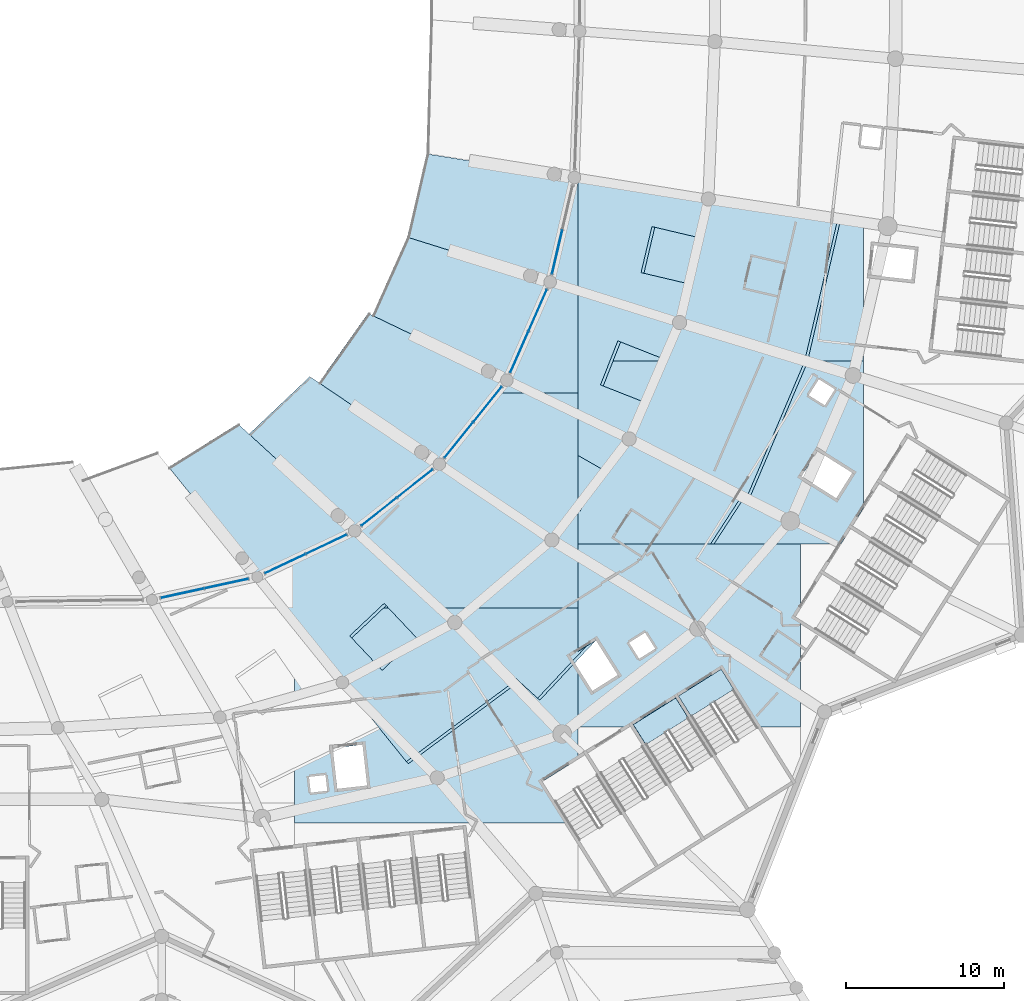
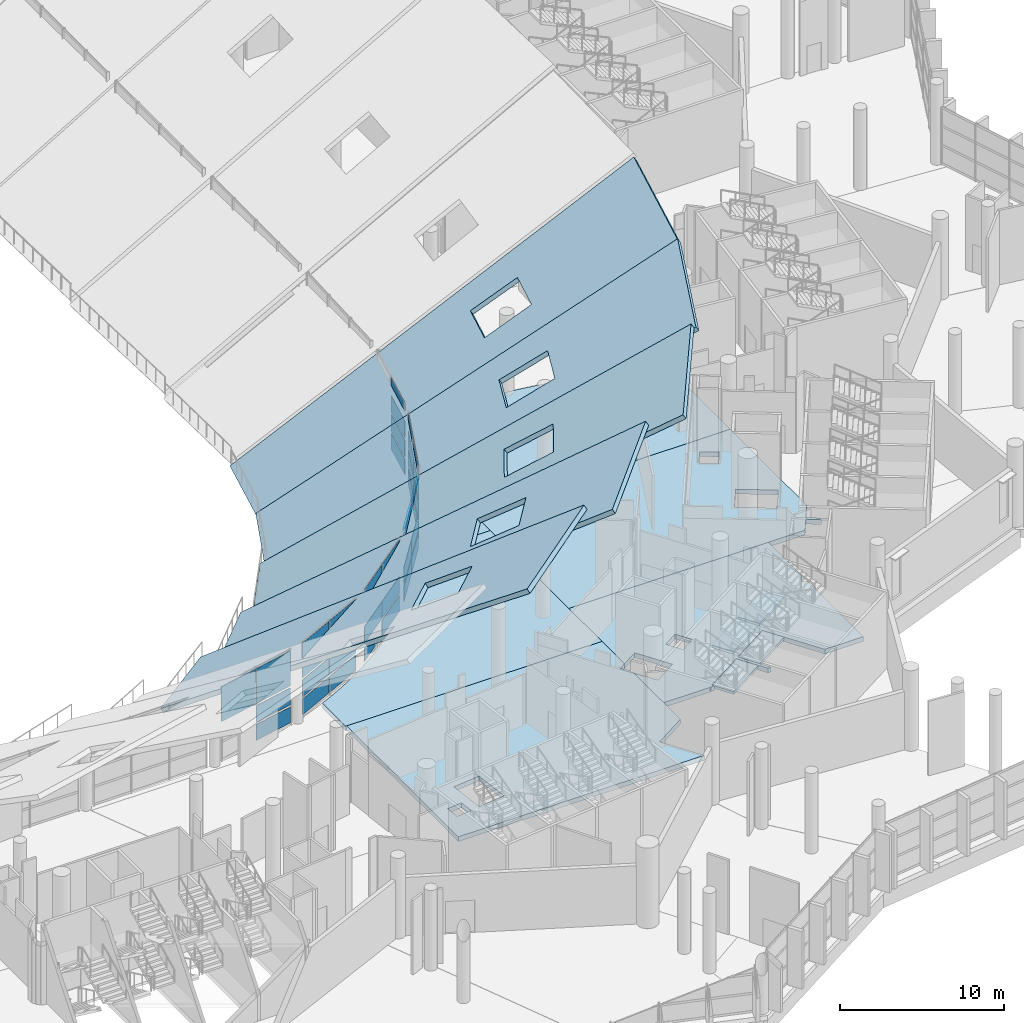
# One storey, part 110 of 249: 36 plates, 15 slabs, 8 elements without a shape of their own.
"""IFC4 building model written with IfcOpenShell, lengths in metres."""

from ifc_helpers import new_model, si_unit, direction, frame, origin, origin_2d, place, context, subcontext, project, spatial, polyline, rectangle, outline, extrude, material, layer, layer_set, type_object, element, aggregate, save


model = new_model("IFC4")

# Units and contexts
model_context = context("Model", 3, precision=1e-05, world=origin(), true_north=direction((0.0, 1.0)))
body_context = subcontext(model_context, "Body", "Model", "MODEL_VIEW")
ifc_project = project(units=[si_unit("LENGTHUNIT", "METRE"), si_unit("AREAUNIT", "SQUARE_METRE"), si_unit("VOLUMEUNIT", "CUBIC_METRE"), si_unit("PLANEANGLEUNIT", "RADIAN"), si_unit("MASSUNIT", "GRAM", prefix="KILO")], contexts=[model_context])

# Site, building, storey
site_placement = place(None, origin())
site = spatial("IfcSite", under=ifc_project, at=site_placement, CompositionType="ELEMENT")
building_placement = place(site_placement, origin())
building = spatial("IfcBuilding", under=site, at=building_placement, Name="Meseta Stadium", CompositionType="ELEMENT")
storey_placement = place(building_placement, frame((0.0, 0.0, 12.0)))
storey = spatial("IfcBuildingStorey", under=building, at=storey_placement, Name="L02", CompositionType="ELEMENT", Elevation=12.0)

# Curtain wall, plates
ifc_material_1 = material(Name="Aluminium", Category="aluminium")
ifc_layer_1 = layer(ifc_material_1, 0.199951171875)
ifc_layer_set_1 = layer_set([ifc_layer_1], Name="Suite glazing curtain wall")
curtain_wall_type = type_object("IfcCurtainWallType", Name="Suite glazing curtain wall", PredefinedType="NOTDEFINED", material=ifc_layer_set_1)
curtain_wall_1_placement = place(storey_placement, origin())
curtain_wall_1 = element("IfcCurtainWall", 1, at=curtain_wall_1_placement, inside=storey, type_object=curtain_wall_type, Name="Suite glazing bay 50", PredefinedType="NOTDEFINED")
ifc_material_2 = material(Name="Glass", Category="glass")
ifc_layer_2 = layer(ifc_material_2, 0.035888671875)
ifc_layer_set_2 = layer_set([ifc_layer_2], Name="CW glass panel 36")
plate_type = type_object("IfcPlateType", Name="CW glass panel 36", PredefinedType="CURTAIN_PANEL", material=ifc_layer_set_2)
plate_1_placement = place(storey_placement, frame((39.633544921875, -76.843017578125, 2.89990234375), z_axis=(0.0, 0.0, 1.0), x_axis=(0.977070301273, 0.21291694712, 0.0)))
plate_1 = element("IfcPlate", 2, at=plate_1_placement, type_object=plate_type, Name="CWS panel 1.3", PredefinedType="CURTAIN_PANEL", context=body_context, shape_type="SweptSolid", body=[
    extrude(rectangle(XDim=2.80810546875, YDim=0.035888671875, at=origin_2d()), origin(), (0.0, 0.0, 1.0), 2.60009765625),
])
plate_2_placement = place(storey_placement, frame((42.43603515625, -76.232177734375, 0.14990234375), z_axis=(0.0, 0.0, 1.0), x_axis=(0.977070301273, 0.21291694712, 0.0)))
plate_2 = element("IfcPlate", 3, at=plate_2_placement, type_object=plate_type, Name="CWS panel 2.1", PredefinedType="CURTAIN_PANEL", context=body_context, shape_type="SweptSolid", body=[
    extrude(rectangle(XDim=2.80810546875, YDim=0.035888671875, at=origin_2d()), origin(), (0.0, 0.0, 1.0), 1.1875),
])
plate_3_placement = place(storey_placement, frame((42.43603515625, -76.232177734375, 1.4873046875), z_axis=(0.0, 0.0, 1.0), x_axis=(0.977070301273, 0.21291694712, 0.0)))
plate_3 = element("IfcPlate", 4, at=plate_3_placement, type_object=plate_type, Name="CWS panel 2.2", PredefinedType="CURTAIN_PANEL", context=body_context, shape_type="SweptSolid", body=[
    extrude(rectangle(XDim=2.80810546875, YDim=0.035888671875, at=origin_2d()), origin(), (0.0, 0.0, 1.0), 1.262451171875),
])
plate_4_placement = place(storey_placement, frame((42.43603515625, -76.232177734375, 2.89990234375), z_axis=(0.0, 0.0, 1.0), x_axis=(0.977070301273, 0.21291694712, 0.0)))
plate_4 = element("IfcPlate", 5, at=plate_4_placement, type_object=plate_type, Name="CWS panel 2.3", PredefinedType="CURTAIN_PANEL", context=body_context, shape_type="SweptSolid", body=[
    extrude(rectangle(XDim=2.80810546875, YDim=0.035888671875, at=origin_2d()), origin(), (0.0, 0.0, 1.0), 2.60009765625),
])
aggregate(curtain_wall_1, [plate_1, plate_2, plate_3, plate_4])

curtain_wall_2_placement = place(storey_placement, origin())
curtain_wall_2 = element("IfcCurtainWall", 6, at=curtain_wall_2_placement, inside=storey, type_object=curtain_wall_type, Name="Suite glazing bay 51", PredefinedType="NOTDEFINED")
plate_5_placement = place(storey_placement, frame((46.166259765625, -74.968017578125, 0.14990234375), z_axis=(0.0, 0.0, 1.0), x_axis=(0.904328409074, 0.426837356076, 0.0)))
plate_5 = element("IfcPlate", 7, at=plate_5_placement, type_object=plate_type, Name="CWS panel 1.1", PredefinedType="CURTAIN_PANEL", context=body_context, shape_type="SweptSolid", body=[
    extrude(rectangle(XDim=2.822509765625, YDim=0.035888671875, at=origin_2d()), origin(), (0.0, 0.0, 1.0), 1.1875),
])
plate_6_placement = place(storey_placement, frame((46.166259765625, -74.968017578125, 1.4873046875), z_axis=(0.0, 0.0, 1.0), x_axis=(0.904328409074, 0.426837356076, 0.0)))
plate_6 = element("IfcPlate", 8, at=plate_6_placement, type_object=plate_type, Name="CWS panel 1.2", PredefinedType="CURTAIN_PANEL", context=body_context, shape_type="SweptSolid", body=[
    extrude(rectangle(XDim=2.822509765625, YDim=0.035888671875, at=origin_2d()), origin(), (0.0, 0.0, 1.0), 1.262451171875),
])
plate_7_placement = place(storey_placement, frame((46.166259765625, -74.968017578125, 2.89990234375), z_axis=(0.0, 0.0, 1.0), x_axis=(0.904328409074, 0.426837356076, 0.0)))
plate_7 = element("IfcPlate", 9, at=plate_7_placement, type_object=plate_type, Name="CWS panel 1.3", PredefinedType="CURTAIN_PANEL", context=body_context, shape_type="SweptSolid", body=[
    extrude(rectangle(XDim=2.822509765625, YDim=0.035888671875, at=origin_2d()), origin(), (0.0, 0.0, 1.0), 2.60009765625),
])
plate_8_placement = place(storey_placement, frame((48.77294921875, -73.737548828125, 0.14990234375), z_axis=(0.0, 0.0, 1.0), x_axis=(0.904328409074, 0.426837356076, 0.0)))
plate_8 = element("IfcPlate", 10, at=plate_8_placement, type_object=plate_type, Name="CWS panel 2.1", PredefinedType="CURTAIN_PANEL", context=body_context, shape_type="SweptSolid", body=[
    extrude(rectangle(XDim=2.822509765625, YDim=0.035888671875, at=origin_2d()), origin(), (0.0, 0.0, 1.0), 1.1875),
])
plate_9_placement = place(storey_placement, frame((48.77294921875, -73.737548828125, 1.4873046875), z_axis=(0.0, 0.0, 1.0), x_axis=(0.904328409074, 0.426837356076, 0.0)))
plate_9 = element("IfcPlate", 11, at=plate_9_placement, type_object=plate_type, Name="CWS panel 2.2", PredefinedType="CURTAIN_PANEL", context=body_context, shape_type="SweptSolid", body=[
    extrude(rectangle(XDim=2.822509765625, YDim=0.035888671875, at=origin_2d()), origin(), (0.0, 0.0, 1.0), 1.262451171875),
])
plate_10_placement = place(storey_placement, frame((48.77294921875, -73.737548828125, 2.89990234375), z_axis=(0.0, 0.0, 1.0), x_axis=(0.904328409074, 0.426837356076, 0.0)))
plate_10 = element("IfcPlate", 12, at=plate_10_placement, type_object=plate_type, Name="CWS panel 2.3", PredefinedType="CURTAIN_PANEL", context=body_context, shape_type="SweptSolid", body=[
    extrude(rectangle(XDim=2.822509765625, YDim=0.035888671875, at=origin_2d()), origin(), (0.0, 0.0, 1.0), 2.60009765625),
])
aggregate(curtain_wall_2, [plate_5, plate_6, plate_7, plate_8, plate_9, plate_10])

curtain_wall_3_placement = place(storey_placement, origin())
curtain_wall_3 = element("IfcCurtainWall", 13, at=curtain_wall_3_placement, inside=storey, type_object=curtain_wall_type, Name="Suite glazing bay 52", PredefinedType="NOTDEFINED")
plate_11_placement = place(storey_placement, frame((52.11279296875, -71.67431640625, 0.14990234375), z_axis=(0.0, 0.0, 1.0), x_axis=(0.785434917158, 0.61894425509, 0.0)))
plate_11 = element("IfcPlate", 14, at=plate_11_placement, type_object=plate_type, Name="CWS panel 1.1", PredefinedType="CURTAIN_PANEL", context=body_context, shape_type="SweptSolid", body=[
    extrude(rectangle(XDim=2.83349609375, YDim=0.035888671875, at=origin_2d()), origin(), (0.0, 0.0, 1.0), 1.1875),
])
plate_12_placement = place(storey_placement, frame((52.11279296875, -71.67431640625, 1.4873046875), z_axis=(0.0, 0.0, 1.0), x_axis=(0.785434917158, 0.61894425509, 0.0)))
plate_12 = element("IfcPlate", 15, at=plate_12_placement, type_object=plate_type, Name="CWS panel 1.2", PredefinedType="CURTAIN_PANEL", context=body_context, shape_type="SweptSolid", body=[
    extrude(rectangle(XDim=2.83349609375, YDim=0.035888671875, at=origin_2d()), origin(), (0.0, 0.0, 1.0), 1.262451171875),
])
plate_13_placement = place(storey_placement, frame((52.11279296875, -71.67431640625, 2.89990234375), z_axis=(0.0, 0.0, 1.0), x_axis=(0.785434917158, 0.61894425509, 0.0)))
plate_13 = element("IfcPlate", 16, at=plate_13_placement, type_object=plate_type, Name="CWS panel 1.3", PredefinedType="CURTAIN_PANEL", context=body_context, shape_type="SweptSolid", body=[
    extrude(rectangle(XDim=2.83349609375, YDim=0.035888671875, at=origin_2d()), origin(), (0.0, 0.0, 1.0), 2.60009765625),
])
plate_14_placement = place(storey_placement, frame((54.385498046875, -69.88330078125, 0.14990234375), z_axis=(0.0, 0.0, 1.0), x_axis=(0.785434917158, 0.61894425509, 0.0)))
plate_14 = element("IfcPlate", 17, at=plate_14_placement, type_object=plate_type, Name="CWS panel 2.1", PredefinedType="CURTAIN_PANEL", context=body_context, shape_type="SweptSolid", body=[
    extrude(rectangle(XDim=2.83349609375, YDim=0.035888671875, at=origin_2d()), origin(), (0.0, 0.0, 1.0), 1.1875),
])
plate_15_placement = place(storey_placement, frame((54.385498046875, -69.88330078125, 1.4873046875), z_axis=(0.0, 0.0, 1.0), x_axis=(0.785434917158, 0.61894425509, 0.0)))
plate_15 = element("IfcPlate", 18, at=plate_15_placement, type_object=plate_type, Name="CWS panel 2.2", PredefinedType="CURTAIN_PANEL", context=body_context, shape_type="SweptSolid", body=[
    extrude(rectangle(XDim=2.83349609375, YDim=0.035888671875, at=origin_2d()), origin(), (0.0, 0.0, 1.0), 1.262451171875),
])
plate_16_placement = place(storey_placement, frame((54.385498046875, -69.88330078125, 2.89990234375), z_axis=(0.0, 0.0, 1.0), x_axis=(0.785434917158, 0.61894425509, 0.0)))
plate_16 = element("IfcPlate", 19, at=plate_16_placement, type_object=plate_type, Name="CWS panel 2.3", PredefinedType="CURTAIN_PANEL", context=body_context, shape_type="SweptSolid", body=[
    extrude(rectangle(XDim=2.83349609375, YDim=0.035888671875, at=origin_2d()), origin(), (0.0, 0.0, 1.0), 2.60009765625),
])
aggregate(curtain_wall_3, [plate_11, plate_12, plate_13, plate_14, plate_15, plate_16])

curtain_wall_4_placement = place(storey_placement, origin())
curtain_wall_4 = element("IfcCurtainWall", 20, at=curtain_wall_4_placement, inside=storey, type_object=curtain_wall_type, Name="Suite glazing bay 53", PredefinedType="NOTDEFINED")
plate_17_placement = place(storey_placement, frame((57.1689453125, -67.12939453125, 0.14990234375), z_axis=(0.0, 0.0, 1.0), x_axis=(0.626460054791, 0.779453526357, 0.0)))
plate_17 = element("IfcPlate", 21, at=plate_17_placement, type_object=plate_type, Name="CWS panel 1.1", PredefinedType="CURTAIN_PANEL", context=body_context, shape_type="SweptSolid", body=[
    extrude(rectangle(XDim=2.84130859375, YDim=0.035888671875, at=origin_2d()), origin(), (0.0, 0.0, 1.0), 1.1875),
])
plate_18_placement = place(storey_placement, frame((57.1689453125, -67.12939453125, 1.4873046875), z_axis=(0.0, 0.0, 1.0), x_axis=(0.626460054791, 0.779453526357, 0.0)))
plate_18 = element("IfcPlate", 22, at=plate_18_placement, type_object=plate_type, Name="CWS panel 1.2", PredefinedType="CURTAIN_PANEL", context=body_context, shape_type="SweptSolid", body=[
    extrude(rectangle(XDim=2.84130859375, YDim=0.035888671875, at=origin_2d()), origin(), (0.0, 0.0, 1.0), 1.262451171875),
])
plate_19_placement = place(storey_placement, frame((57.1689453125, -67.12939453125, 2.89990234375), z_axis=(0.0, 0.0, 1.0), x_axis=(0.626460054791, 0.779453526357, 0.0)))
plate_19 = element("IfcPlate", 23, at=plate_19_placement, type_object=plate_type, Name="CWS panel 1.3", PredefinedType="CURTAIN_PANEL", context=body_context, shape_type="SweptSolid", body=[
    extrude(rectangle(XDim=2.84130859375, YDim=0.035888671875, at=origin_2d()), origin(), (0.0, 0.0, 1.0), 2.332275390625),
])
plate_20_placement = place(storey_placement, frame((57.1689453125, -67.12939453125, 5.38232421875), z_axis=(0.0, 0.0, 1.0), x_axis=(0.626460054791, 0.779453526357, 0.0)))
plate_20 = element("IfcPlate", 24, at=plate_20_placement, type_object=plate_type, Name="CWS panel 1.4", PredefinedType="CURTAIN_PANEL", context=body_context, shape_type="SweptSolid", body=[
    extrude(rectangle(XDim=2.84130859375, YDim=0.035888671875, at=origin_2d()), origin(), (0.0, 0.0, 1.0), 0.11767578125),
])
plate_21_placement = place(storey_placement, frame((58.986572265625, -64.867919921875, 0.14990234375), z_axis=(0.0, 0.0, 1.0), x_axis=(0.626460054791, 0.779453526357, 0.0)))
plate_21 = element("IfcPlate", 25, at=plate_21_placement, type_object=plate_type, Name="CWS panel 2.1", PredefinedType="CURTAIN_PANEL", context=body_context, shape_type="SweptSolid", body=[
    extrude(rectangle(XDim=2.84130859375, YDim=0.035888671875, at=origin_2d()), origin(), (0.0, 0.0, 1.0), 1.1875),
])
plate_22_placement = place(storey_placement, frame((58.986572265625, -64.867919921875, 1.4873046875), z_axis=(0.0, 0.0, 1.0), x_axis=(0.626460054791, 0.779453526357, 0.0)))
plate_22 = element("IfcPlate", 26, at=plate_22_placement, type_object=plate_type, Name="CWS panel 2.2", PredefinedType="CURTAIN_PANEL", context=body_context, shape_type="SweptSolid", body=[
    extrude(rectangle(XDim=2.84130859375, YDim=0.035888671875, at=origin_2d()), origin(), (0.0, 0.0, 1.0), 1.262451171875),
])
plate_23_placement = place(storey_placement, frame((58.986572265625, -64.867919921875, 2.89990234375), z_axis=(0.0, 0.0, 1.0), x_axis=(0.626460054791, 0.779453526357, 0.0)))
plate_23 = element("IfcPlate", 27, at=plate_23_placement, type_object=plate_type, Name="CWS panel 2.3", PredefinedType="CURTAIN_PANEL", context=body_context, shape_type="SweptSolid", body=[
    extrude(rectangle(XDim=2.84130859375, YDim=0.035888671875, at=origin_2d()), origin(), (0.0, 0.0, 1.0), 2.332275390625),
])
plate_24_placement = place(storey_placement, frame((58.986572265625, -64.867919921875, 5.38232421875), z_axis=(0.0, 0.0, 1.0), x_axis=(0.626460054791, 0.779453526357, 0.0)))
plate_24 = element("IfcPlate", 28, at=plate_24_placement, type_object=plate_type, Name="CWS panel 2.4", PredefinedType="CURTAIN_PANEL", context=body_context, shape_type="SweptSolid", body=[
    extrude(rectangle(XDim=2.84130859375, YDim=0.035888671875, at=origin_2d()), origin(), (0.0, 0.0, 1.0), 0.11767578125),
])
aggregate(curtain_wall_4, [plate_17, plate_18, plate_19, plate_20, plate_21, plate_22, plate_23, plate_24])

curtain_wall_5_placement = place(storey_placement, origin())
curtain_wall_5 = element("IfcCurtainWall", 29, at=curtain_wall_5_placement, inside=storey, type_object=curtain_wall_type, Name="Suite glazing bay 54", PredefinedType="NOTDEFINED")
plate_25_placement = place(storey_placement, frame((61.009765625, -61.54150390625, 0.14990234375), z_axis=(0.0, 0.0, 1.0), x_axis=(0.402983317466, 0.915207323968, 0.0)))
plate_25 = element("IfcPlate", 30, at=plate_25_placement, type_object=plate_type, Name="CWS panel 1.1", PredefinedType="CURTAIN_PANEL", context=body_context, shape_type="SweptSolid", body=[
    extrude(rectangle(XDim=2.8310546875, YDim=0.035888671875, at=origin_2d()), origin(), (0.0, 0.0, 1.0), 1.1875),
])
plate_26_placement = place(storey_placement, frame((61.009765625, -61.54150390625, 1.4873046875), z_axis=(0.0, 0.0, 1.0), x_axis=(0.402983317466, 0.915207323968, 0.0)))
plate_26 = element("IfcPlate", 31, at=plate_26_placement, type_object=plate_type, Name="CWS panel 1.2", PredefinedType="CURTAIN_PANEL", context=body_context, shape_type="SweptSolid", body=[
    extrude(rectangle(XDim=2.8310546875, YDim=0.035888671875, at=origin_2d()), origin(), (0.0, 0.0, 1.0), 1.262451171875),
])
plate_27_placement = place(storey_placement, frame((61.009765625, -61.54150390625, 2.89990234375), z_axis=(0.0, 0.0, 1.0), x_axis=(0.402983317466, 0.915207323968, 0.0)))
plate_27 = element("IfcPlate", 32, at=plate_27_placement, type_object=plate_type, Name="CWS panel 1.3", PredefinedType="CURTAIN_PANEL", context=body_context, shape_type="SweptSolid", body=[
    extrude(rectangle(XDim=2.8310546875, YDim=0.035888671875, at=origin_2d()), origin(), (0.0, 0.0, 1.0), 1.262451171875),
])
plate_28_placement = place(storey_placement, frame((61.009765625, -61.54150390625, 4.3125), z_axis=(0.0, 0.0, 1.0), x_axis=(0.402983317466, 0.915207323968, 0.0)))
plate_28 = element("IfcPlate", 33, at=plate_28_placement, type_object=plate_type, Name="CWS panel 1.4", PredefinedType="CURTAIN_PANEL", context=body_context, shape_type="SweptSolid", body=[
    extrude(rectangle(XDim=2.8310546875, YDim=0.035888671875, at=origin_2d()), origin(), (0.0, 0.0, 1.0), 1.1875),
])
plate_29_placement = place(storey_placement, frame((62.1748046875, -58.895751953125, 0.14990234375), z_axis=(0.0, 0.0, 1.0), x_axis=(0.402983317466, 0.915207323968, 0.0)))
plate_29 = element("IfcPlate", 34, at=plate_29_placement, type_object=plate_type, Name="CWS panel 2.1", PredefinedType="CURTAIN_PANEL", context=body_context, shape_type="SweptSolid", body=[
    extrude(rectangle(XDim=2.8310546875, YDim=0.035888671875, at=origin_2d()), origin(), (0.0, 0.0, 1.0), 1.1875),
])
plate_30_placement = place(storey_placement, frame((62.1748046875, -58.895751953125, 1.4873046875), z_axis=(0.0, 0.0, 1.0), x_axis=(0.402983317466, 0.915207323968, 0.0)))
plate_30 = element("IfcPlate", 35, at=plate_30_placement, type_object=plate_type, Name="CWS panel 2.2", PredefinedType="CURTAIN_PANEL", context=body_context, shape_type="SweptSolid", body=[
    extrude(rectangle(XDim=2.8310546875, YDim=0.035888671875, at=origin_2d()), origin(), (0.0, 0.0, 1.0), 1.262451171875),
])
plate_31_placement = place(storey_placement, frame((62.1748046875, -58.895751953125, 2.89990234375), z_axis=(0.0, 0.0, 1.0), x_axis=(0.402983317466, 0.915207323968, 0.0)))
plate_31 = element("IfcPlate", 36, at=plate_31_placement, type_object=plate_type, Name="CWS panel 2.3", PredefinedType="CURTAIN_PANEL", context=body_context, shape_type="SweptSolid", body=[
    extrude(rectangle(XDim=2.8310546875, YDim=0.035888671875, at=origin_2d()), origin(), (0.0, 0.0, 1.0), 1.262451171875),
])
plate_32_placement = place(storey_placement, frame((62.1748046875, -58.895751953125, 4.3125), z_axis=(0.0, 0.0, 1.0), x_axis=(0.402983317466, 0.915207323968, 0.0)))
plate_32 = element("IfcPlate", 37, at=plate_32_placement, type_object=plate_type, Name="CWS panel 2.4", PredefinedType="CURTAIN_PANEL", context=body_context, shape_type="SweptSolid", body=[
    extrude(rectangle(XDim=2.8310546875, YDim=0.035888671875, at=origin_2d()), origin(), (0.0, 0.0, 1.0), 1.1875),
])
aggregate(curtain_wall_5, [plate_25, plate_26, plate_27, plate_28, plate_29, plate_30, plate_31, plate_32])

curtain_wall_6_placement = place(storey_placement, origin())
curtain_wall_6 = element("IfcCurtainWall", 38, at=curtain_wall_6_placement, inside=storey, type_object=curtain_wall_type, Name="Suite glazing bay 55", PredefinedType="NOTDEFINED")
plate_33_placement = place(storey_placement, frame((63.40576171875, -55.19970703125, 0.14990234375), z_axis=(0.0, 0.0, 1.0), x_axis=(0.226148413492, 0.974092857522, 0.0)))
plate_33 = element("IfcPlate", 39, at=plate_33_placement, type_object=plate_type, Name="CWS panel 1.1", PredefinedType="CURTAIN_PANEL", context=body_context, shape_type="SweptSolid", body=[
    extrude(rectangle(XDim=2.830322265625, YDim=0.035888671875, at=origin_2d()), origin(), (0.0, 0.0, 1.0), 1.1875),
])
plate_34_placement = place(storey_placement, frame((63.40576171875, -55.19970703125, 1.4873046875), z_axis=(0.0, 0.0, 1.0), x_axis=(0.226148413492, 0.974092857522, 0.0)))
plate_34 = element("IfcPlate", 40, at=plate_34_placement, type_object=plate_type, Name="CWS panel 1.2", PredefinedType="CURTAIN_PANEL", context=body_context, shape_type="SweptSolid", body=[
    extrude(rectangle(XDim=2.830322265625, YDim=0.035888671875, at=origin_2d()), origin(), (0.0, 0.0, 1.0), 1.262451171875),
])
plate_35_placement = place(storey_placement, frame((63.40576171875, -55.19970703125, 2.89990234375), z_axis=(0.0, 0.0, 1.0), x_axis=(0.226148413492, 0.974092857522, 0.0)))
plate_35 = element("IfcPlate", 41, at=plate_35_placement, type_object=plate_type, Name="CWS panel 1.3", PredefinedType="CURTAIN_PANEL", context=body_context, shape_type="SweptSolid", body=[
    extrude(rectangle(XDim=2.830322265625, YDim=0.035888671875, at=origin_2d()), origin(), (0.0, 0.0, 1.0), 1.262451171875),
])
plate_36_placement = place(storey_placement, frame((63.40576171875, -55.19970703125, 4.3125), z_axis=(0.0, 0.0, 1.0), x_axis=(0.226148413492, 0.974092857522, 0.0)))
plate_36 = element("IfcPlate", 42, at=plate_36_placement, type_object=plate_type, Name="CWS panel 1.4", PredefinedType="CURTAIN_PANEL", context=body_context, shape_type="SweptSolid", body=[
    extrude(rectangle(XDim=2.830322265625, YDim=0.035888671875, at=origin_2d()), origin(), (0.0, 0.0, 1.0), 1.1875),
])
aggregate(curtain_wall_6, [plate_33, plate_34, plate_35, plate_36])

# Slabs
ifc_material_3 = material(Name="Concrete C40/50", Category="concrete")
ifc_layer_3 = layer(ifc_material_3, 0.35009765625)
ifc_layer_set_3 = layer_set([ifc_layer_3], Name="Floor slab 350")
slab_type_1 = type_object("IfcSlabType", Name="Floor slab 350", PredefinedType="FLOOR", material=ifc_layer_set_3)
slab_1_placement = place(storey_placement, frame((0.0, 0.0, -0.35009765625)))
element("IfcSlab", 43, at=slab_1_placement, inside=storey, type_object=slab_type_1, Name="Floor slab L02 sector 49 panel 05", PredefinedType="FLOOR", context=body_context, shape_type="SweptSolid", body=[
    extrude(outline(polyline([(64.743408203125, -77.7705078125), (46.736083984375, -77.7705078125), (46.736083984375, -91.4111328125), (64.107666015625, -91.4111328125), (62.45947265625, -88.788330078125), (64.743408203125, -87.353271484375), (64.743408203125, -81.615234375), (64.25390625, -80.83642578125), (64.743408203125, -80.529052734375), (64.743408203125, -77.7705078125)]), holes=[polyline([(51.0625, -86.447265625), (51.353759765625, -89.031005859375), (49.4658203125, -89.24365234375), (49.174560546875, -86.66015625), (51.0625, -86.447265625)]), polyline([(47.781982421875, -89.483642578125), (47.669921875, -88.489990234375), (48.71337890625, -88.37255859375), (48.825439453125, -89.3662109375), (47.781982421875, -89.483642578125)])]), origin(), (0.0, 0.0, 1.0), 0.35009765625),
])
slab_2_placement = place(storey_placement, frame((0.0, 0.0, -0.35009765625)))
element("IfcSlab", 44, at=slab_2_placement, inside=storey, type_object=slab_type_1, Name="Floor slab L02 sector 49 panel 06", PredefinedType="FLOOR", context=body_context, shape_type="SweptSolid", body=[
    extrude(outline(polyline([(49.589599609375, -73.47119140625), (48.58642578125, -74.01611328125), (47.5634765625, -74.522705078125), (46.659423828125, -74.9287109375), (46.659423828125, -77.7705078125), (64.743408203125, -77.7705078125), (64.743408203125, -64.130126953125), (59.6953125, -64.130126953125), (59.593994140625, -64.28369140625), (58.930419921875, -65.21240234375), (58.232177734375, -66.115478515625), (57.50048828125, -66.99169921875), (56.736083984375, -67.839599609375), (55.940185546875, -68.658203125), (55.1142578125, -69.446044921875), (54.259033203125, -70.2021484375), (53.375732421875, -70.925537109375), (52.466064453125, -71.614990234375), (51.53076171875, -72.269775390625), (50.571533203125, -72.888916015625), (49.589599609375, -73.47119140625)])), origin(), (0.0, 0.0, 1.0), 0.35009765625),
])
slab_3_placement = place(storey_placement, frame((0.0, 0.0, -0.35009765625)))
element("IfcSlab", 45, at=slab_3_placement, inside=storey, type_object=slab_type_1, Name="Floor slab L02 sector 49 panel 07", PredefinedType="FLOOR", context=body_context, shape_type="SweptSolid", body=[
    extrude(outline(polyline([(60.772705078125, -62.335693359375), (60.22216796875, -63.33056640625), (59.6953125, -64.130126953125), (64.743408203125, -64.130126953125), (64.743408203125, -50.52880859375), (64.5, -50.489501953125), (64.330322265625, -51.601806640625), (64.12451171875, -52.718017578125), (63.885009765625, -53.827392578125), (63.611328125, -54.928955078125), (63.30419921875, -56.021484375), (62.963623046875, -57.1044921875), (62.590087890625, -58.17626953125), (62.183837890625, -59.236328125), (61.7451171875, -60.28369140625), (61.274658203125, -61.31689453125), (60.772705078125, -62.335693359375)])), origin(), (0.0, 0.0, 1.0), 0.35009765625),
])
slab_4_placement = place(storey_placement, frame((0.0, 0.0, -0.35009765625)))
element("IfcSlab", 46, at=slab_4_placement, inside=storey, type_object=slab_type_1, Name="Floor slab L02 sector 49 panel 08", PredefinedType="FLOOR", context=body_context, shape_type="SweptSolid", body=[
    extrude(outline(polyline([(65.63720703125, -83.0380859375), (64.743408203125, -81.615234375), (64.743408203125, -85.313720703125), (67.989501953125, -85.313720703125), (68.0478515625, -85.27685546875), (68.07080078125, -85.313720703125), (68.30712890625, -85.313720703125), (68.21728515625, -85.17041015625), (70.9267578125, -83.468017578125), (72.08642578125, -85.313720703125), (72.322509765625, -85.313720703125), (71.09619140625, -83.361572265625), (73.8056640625, -81.6591796875), (76.101806640625, -85.313720703125), (78.825927734375, -85.313720703125), (78.825927734375, -78.538818359375), (78.505859375, -78.337646484375), (78.825927734375, -77.828125), (78.825927734375, -73.718505859375), (64.743408203125, -73.718505859375), (64.743408203125, -80.529052734375), (65.86279296875, -79.82568359375), (67.245849609375, -82.027099609375), (65.63720703125, -83.0380859375)]), holes=[polyline([(67.967041015625, -79.9794921875), (68.983154296875, -79.341064453125), (69.62158203125, -80.357177734375), (68.605712890625, -80.99560546875), (67.967041015625, -79.9794921875)])]), origin(), (0.0, 0.0, 1.0), 0.35009765625),
])
slab_5_placement = place(storey_placement, frame((0.0, 0.0, -0.35009765625)))
element("IfcSlab", 47, at=slab_5_placement, inside=storey, type_object=slab_type_1, Name="Floor slab L02 sector 49 panel 10", PredefinedType="FLOOR", context=body_context, shape_type="SweptSolid", body=[
    extrude(outline(polyline([(82.8271484375, -53.44140625), (64.743408203125, -50.52880859375), (64.743408203125, -62.123779296875), (82.8271484375, -62.123779296875), (82.8271484375, -53.44140625)])), origin(), (0.0, 0.0, 1.0), 0.35009765625),
])
slab_6_placement = place(storey_placement, frame((0.0, 0.0, -0.35009765625)))
element("IfcSlab", 48, at=slab_6_placement, inside=storey, type_object=slab_type_1, Name="Floor slab L02 sector 49 panel 11", PredefinedType="FLOOR", context=body_context, shape_type="SweptSolid", body=[
    extrude(outline(polyline([(82.8271484375, -73.258056640625), (82.8271484375, -73.02197265625), (82.123779296875, -72.579833984375), (82.8271484375, -71.46044921875), (82.8271484375, -62.123779296875), (64.743408203125, -62.123779296875), (64.743408203125, -73.718505859375), (81.408203125, -73.718505859375), (82.01708984375, -72.749267578125), (82.8271484375, -73.258056640625)]), holes=[polyline([(82.11572265625, -69.208984375), (81.10498046875, -70.81787109375), (78.903564453125, -69.4345703125), (79.914306640625, -67.82568359375), (82.11572265625, -69.208984375)]), polyline([(79.99951171875, -63.273193359375), (81.015625, -63.91162109375), (80.377197265625, -64.927734375), (79.361083984375, -64.289306640625), (79.99951171875, -63.273193359375)])]), origin(), (0.0, 0.0, 1.0), 0.35009765625),
])
ifc_material_4 = material(Name="Concrete C40/50", Category="concrete")
ifc_layer_4 = layer(ifc_material_4, 0.35009765625)
ifc_layer_set_4 = layer_set([ifc_layer_4], Name="Seating tier 350")
slab_type_2 = type_object("IfcSlabType", Name="Seating tier 350", PredefinedType="USERDEFINED", material=ifc_layer_set_4)
slab_7_placement = place(storey_placement, frame((38.76904296875, -68.84130859375, -1.318603515625), z_axis=(-0.363623445258, 0.385585289405, 0.847998805809), x_axis=(0.533013963594, -0.660452558356, 0.528865325744)))
element("IfcSlab", 49, at=slab_7_placement, inside=storey, type_object=slab_type_2, Name="Stand upper tier bay 52", ObjectType="SEATING TIER", PredefinedType="USERDEFINED", context=body_context, shape_type="SweptSolid", body=[
    extrude(outline(polyline([(0.0, 0.0), (28.278420036742716, 5.218048215738236e-15), (28.918381251701994, 8.741504458459989), (0.8680745162456336, 5.140137560751964), (0.0, 0.0)]), holes=[polyline([(18.369384765625, 2.213623046875), (21.899658203125, 2.445068359375), (21.70361328125, 5.438232421875), (18.173583984375, 5.207275390625), (18.369384765625, 2.213623046875)])]), origin(), (0.0, 0.0, -1.0), 0.35009765625),
])
slab_8_placement = place(storey_placement, frame((43.87158203125, -66.755615234375, -1.241455078125), z_axis=(-0.416651214715, 0.327561343336, 0.848000785158), x_axis=(0.625991923579, -0.573040686331, 0.528922001267)))
element("IfcSlab", 50, at=slab_8_placement, inside=storey, type_object=slab_type_2, Name="Stand upper tier bay 53", ObjectType="SEATING TIER", PredefinedType="USERDEFINED", context=body_context, shape_type="SweptSolid", body=[
    extrude(outline(polyline([(0.0, 0.0), (29.222340454959856, -1.1102230246251565e-16), (29.57109576161473, 8.939759068162799), (0.5757892499769485, 5.292690164713425), (0.0, 0.0)]), holes=[polyline([(18.22412109375, 2.26708984375), (21.754638671875, 2.491943359375), (21.56396484375, 5.486083984375), (18.033447265625, 5.26123046875), (18.22412109375, 2.26708984375)])]), origin(), (0.0, 0.0, -1.0), 0.35009765625),
])
slab_9_placement = place(storey_placement, frame((48.296142578125, -63.497802734375, -1.160400390625), z_axis=(-0.459888351399, 0.263447583447, 0.847996506492), x_axis=(0.70337366512, -0.474822863196, 0.528969503659)))
element("IfcSlab", 51, at=slab_9_placement, inside=storey, type_object=slab_type_2, Name="Stand upper tier bay 54", ObjectType="SEATING TIER", PredefinedType="USERDEFINED", context=body_context, shape_type="SweptSolid", body=[
    extrude(outline(polyline([(0.0, 0.0), (31.108390563468767, -5.551115123125783e-16), (31.14203551278021, 9.228728410401573), (0.26920322834328647, 5.397753161242907), (0.0, 0.0)]), holes=[polyline([(18.0712890625, 2.304443359375), (21.602294921875, 2.525390625), (21.4150390625, 5.51953125), (17.884033203125, 5.298828125), (18.0712890625, 2.304443359375)])]), origin(), (0.0, 0.0, -1.0), 0.35009765625),
])
slab_10_placement = place(storey_placement, frame((51.677978515625, -59.221435546875, -1.076904296875), z_axis=(-0.493034340941, 0.194461392393, 0.847998765047), x_axis=(0.764778458806, -0.367804148129, 0.528993400304)))
element("IfcSlab", 52, at=slab_10_placement, inside=storey, type_object=slab_type_2, Name="Stand upper tier bay 55", ObjectType="SEATING TIER", PredefinedType="USERDEFINED", context=body_context, shape_type="SweptSolid", body=[
    extrude(outline(polyline([(0.0, 0.0), (31.10928509286415, 7.771561172376096e-16), (30.832063742600695, 9.238752772357437), (-0.044315175160026934, 5.435730225344294), (0.0, 0.0)]), holes=[polyline([(17.6796875, 2.30126953125), (21.2109375, 2.518798828125), (21.026123046875, 5.51318359375), (17.4951171875, 5.29541015625), (17.6796875, 2.30126953125)])]), origin(), (0.0, 0.0, -1.0), 0.35009765625),
])
slab_11_placement = place(storey_placement, frame((53.898681640625, -54.26220703125, -0.9921875), z_axis=(-0.515820522783, 0.121766351001, 0.847998905683), x_axis=(0.809748444713, -0.25388312535, 0.529009276807)))
element("IfcSlab", 53, at=slab_11_placement, inside=storey, type_object=slab_type_2, Name="Stand upper tier bay 56", ObjectType="SEATING TIER", PredefinedType="USERDEFINED", context=body_context, shape_type="SweptSolid", body=[
    extrude(outline(polyline([(0.0, 0.0), (31.109576013385656, -8.881784197001252e-16), (30.516525428915102, 9.205793978807094), (-0.3605263567858182, 5.410582680381963), (0.0, 0.0)]), holes=[polyline([(17.520751953125, 2.291259765625), (21.052001953125, 2.50732421875), (20.86865234375, 5.501708984375), (17.337646484375, 5.28564453125), (17.520751953125, 2.291259765625)])]), origin(), (0.0, 0.0, -1.0), 0.35009765625),
])

# Stair, slabs
ifc_material_5 = material(Name="Concrete C40/50", Category="concrete")
stair_type = type_object("IfcStairType", Name="Exit stair 4 flights 150 mm risers", PredefinedType="HALF_TURN_STAIR", material=ifc_material_5)
stair_1_placement = place(storey_placement, origin())
stair_1 = element("IfcStair", 54, at=stair_1_placement, inside=storey, type_object=stair_type, Name="ST107 L02", PredefinedType="HALF_TURN_STAIR")
ifc_material_6 = material(Name="Concrete C40/50", Category="concrete")
ifc_layer_5 = layer(ifc_material_6, 0.199951171875)
ifc_layer_set_5 = layer_set([ifc_layer_5], Name="Stair landing 200")
slab_type_3 = type_object("IfcSlabType", Name="Stair landing 200", PredefinedType="LANDING", material=ifc_layer_set_5)
slab_12_placement = place(storey_placement, frame((0.0, 0.0, 2.800048828125)))
slab_12 = element("IfcSlab", 55, at=slab_12_placement, type_object=slab_type_3, Name="ST107 L02 landing 2", PredefinedType="LANDING", context=body_context, shape_type="SweptSolid", body=[
    extrude(outline(polyline([(68.21728515625, -85.17041015625), (69.0205078125, -86.448974609375), (71.72998046875, -84.74658203125), (70.9267578125, -83.468017578125), (68.21728515625, -85.17041015625)])), origin(), (0.0, 0.0, 1.0), 0.199951171875),
])
slab_13_placement = place(storey_placement, frame((0.0, 0.0, -0.199951171875)))
slab_13 = element("IfcSlab", 56, at=slab_13_placement, type_object=slab_type_3, Name="ST107 L02 landing 4", PredefinedType="LANDING", context=body_context, shape_type="SweptSolid", body=[
    extrude(outline(polyline([(68.233642578125, -85.17431640625), (68.3173828125, -85.30712890625), (69.03076171875, -86.442626953125), (71.719970703125, -84.7529296875), (70.9228515625, -83.484619140625), (68.233642578125, -85.17431640625)])), origin(), (0.0, 0.0, 1.0), 0.199951171875),
])
aggregate(stair_1, [slab_12, slab_13])

stair_2_placement = place(storey_placement, origin())
stair_2 = element("IfcStair", 57, at=stair_2_placement, inside=storey, type_object=stair_type, Name="ST108 L02", PredefinedType="HALF_TURN_STAIR")
slab_14_placement = place(storey_placement, frame((0.0, 0.0, 2.800048828125)))
slab_14 = element("IfcSlab", 58, at=slab_14_placement, type_object=slab_type_3, Name="ST108 L02 landing 2", PredefinedType="LANDING", context=body_context, shape_type="SweptSolid", body=[
    extrude(outline(polyline([(71.095947265625, -83.361572265625), (71.8994140625, -84.64013671875), (74.60888671875, -82.937744140625), (73.8056640625, -81.6591796875), (71.095947265625, -83.361572265625)])), origin(), (0.0, 0.0, 1.0), 0.199951171875),
])
slab_15_placement = place(storey_placement, frame((0.0, 0.0, -0.199951171875)))
slab_15 = element("IfcSlab", 59, at=slab_15_placement, type_object=slab_type_3, Name="ST108 L02 landing 4", PredefinedType="LANDING", context=body_context, shape_type="SweptSolid", body=[
    extrude(outline(polyline([(71.095947265625, -83.361572265625), (71.8994140625, -84.64013671875), (74.60888671875, -82.937744140625), (73.8056640625, -81.6591796875), (71.095947265625, -83.361572265625)])), origin(), (0.0, 0.0, 1.0), 0.199951171875),
])
aggregate(stair_2, [slab_14, slab_15])

save(model, "model.ifc")
